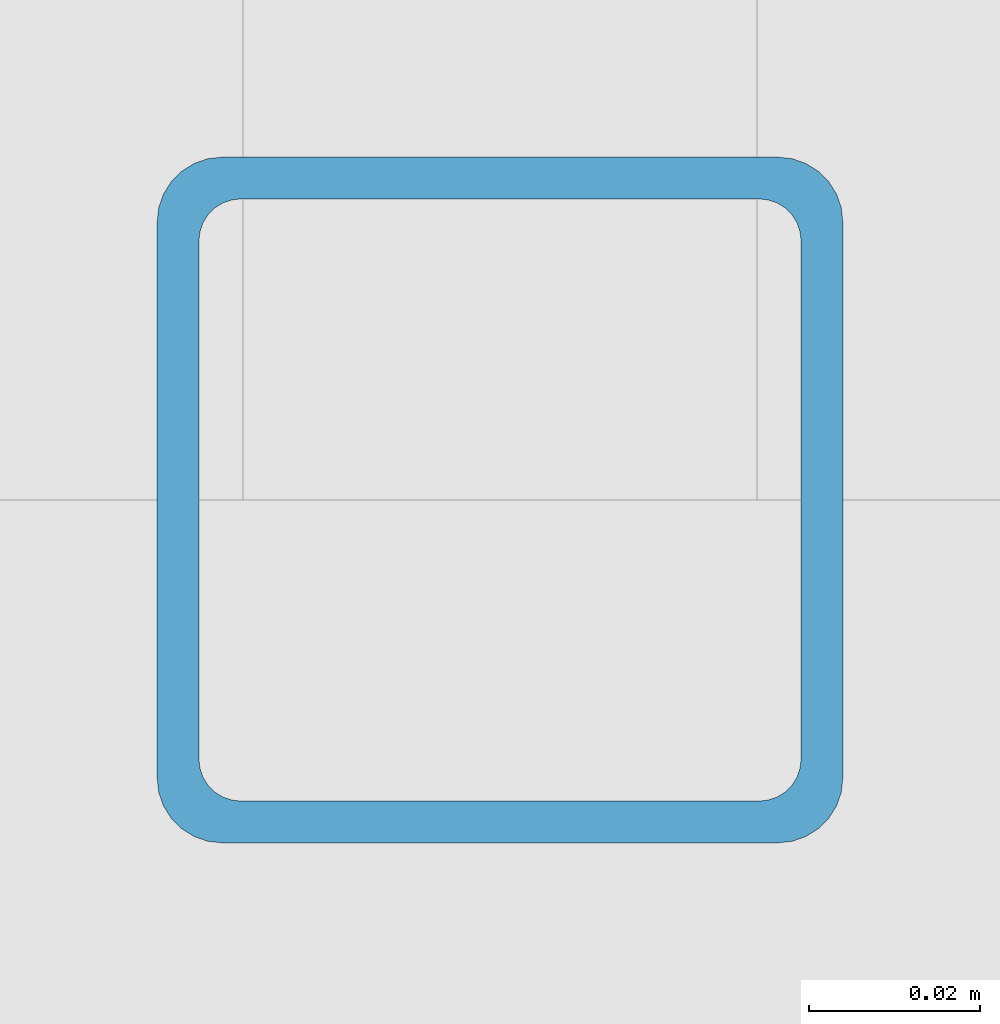
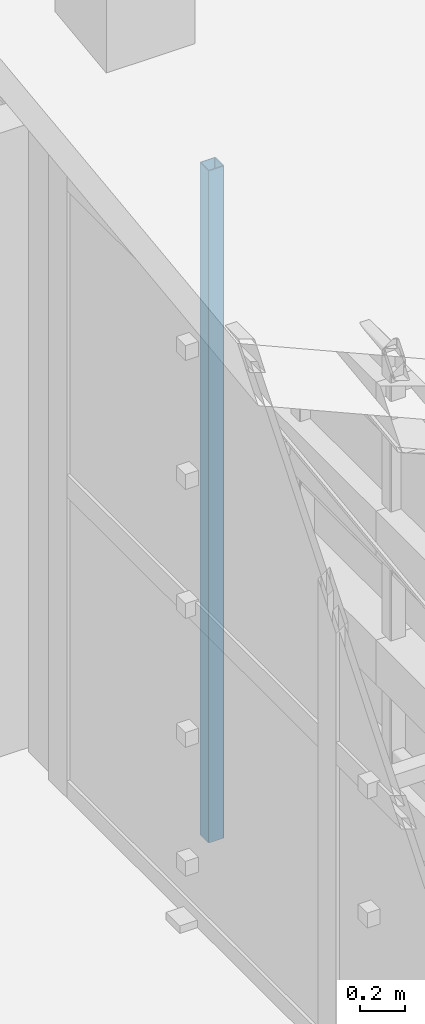
# One storey, part 42 of 83: 1 member.
"""IFC4 building model written with IfcOpenShell, lengths in metres."""

from ifc_helpers import new_model, si_unit, direction, frame, origin, origin_2d, place, context, subcontext, project, spatial, hollow_rectangle, extrude, material, material_profile, profile_set, type_object, element, save


model = new_model("IFC4")

# Units and contexts
model_context = context("Model", 3, precision=1e-05, world=origin(), true_north=direction((0.0, 1.0)))
body_context = subcontext(model_context, "Body", "Model", "MODEL_VIEW")
ifc_project = project(units=[si_unit("LENGTHUNIT", "METRE"), si_unit("AREAUNIT", "SQUARE_METRE"), si_unit("VOLUMEUNIT", "CUBIC_METRE"), si_unit("PLANEANGLEUNIT", "RADIAN"), si_unit("MASSUNIT", "GRAM", prefix="KILO")], contexts=[model_context])

# Site, building, storey
site_placement = place(None, origin())
site = spatial("IfcSite", under=ifc_project, at=site_placement, CompositionType="ELEMENT")
building_placement = place(site_placement, origin())
building = spatial("IfcBuilding", under=site, at=building_placement, Name="Jelvoka-Kovrelna Polytechnic", CompositionType="ELEMENT")
storey_placement = place(building_placement, frame((0.0, 0.0, 13.800048828125)))
storey = spatial("IfcBuildingStorey", under=building, at=storey_placement, Name="L04", CompositionType="ELEMENT", Elevation=13.800048828125)

# Member
ifc_material = material(Name="Structural steel S355J2H", Category="steel")
ifc_material_profile = material_profile(ifc_material, hollow_rectangle(XDim=0.080078125, YDim=0.080078125, WallThickness=0.0048828125, InnerFilletRadius=0.0048828125, OuterFilletRadius=0.007568359375, at=origin_2d()), Name="80x80x5.0 SHS")
ifc_profile_set = profile_set([ifc_material_profile], Name="Structural steel S355J2H")
member_type = type_object("IfcMemberType", Name="Member_Strut_SHS80", PredefinedType="STRUT", material=ifc_profile_set)
member_placement = place(storey_placement, frame((159.97998046875, 23.199951171875, -0.22998046875), z_axis=(0.0, 0.0, 1.0), x_axis=(1.0, 0.0, 0.0)))
element("IfcMember", 1, at=member_placement, inside=storey, type_object=member_type, Name="L04 terracotta lattice vertical rib 0078", PredefinedType="STRUT", context=body_context, shape_type="SweptSolid", body=[
    extrude(hollow_rectangle(XDim=0.080078125, YDim=0.080078125, WallThickness=0.0048828125, InnerFilletRadius=0.0048828125, OuterFilletRadius=0.007568359375, at=origin_2d()), origin(), (0.0, 0.0, 1.0), 3.60986328125),
])

save(model, "model.ifc")
